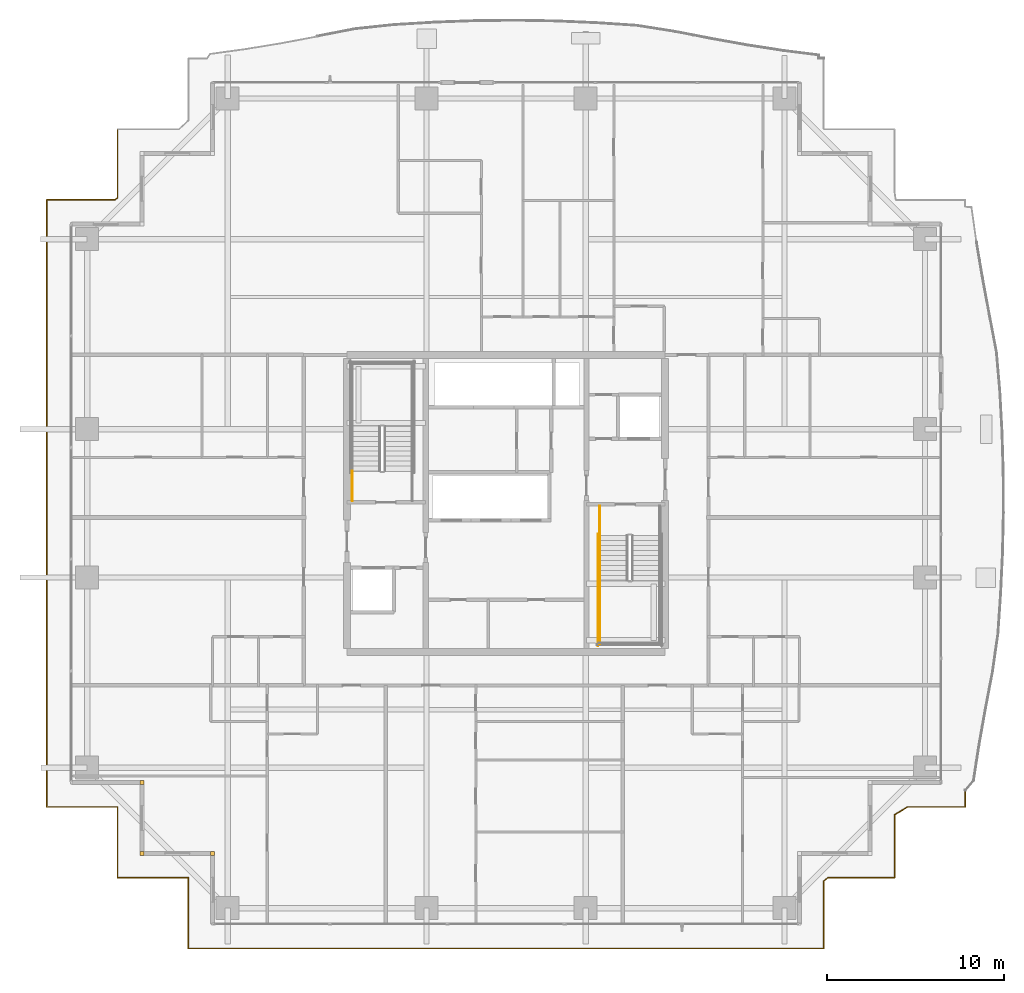
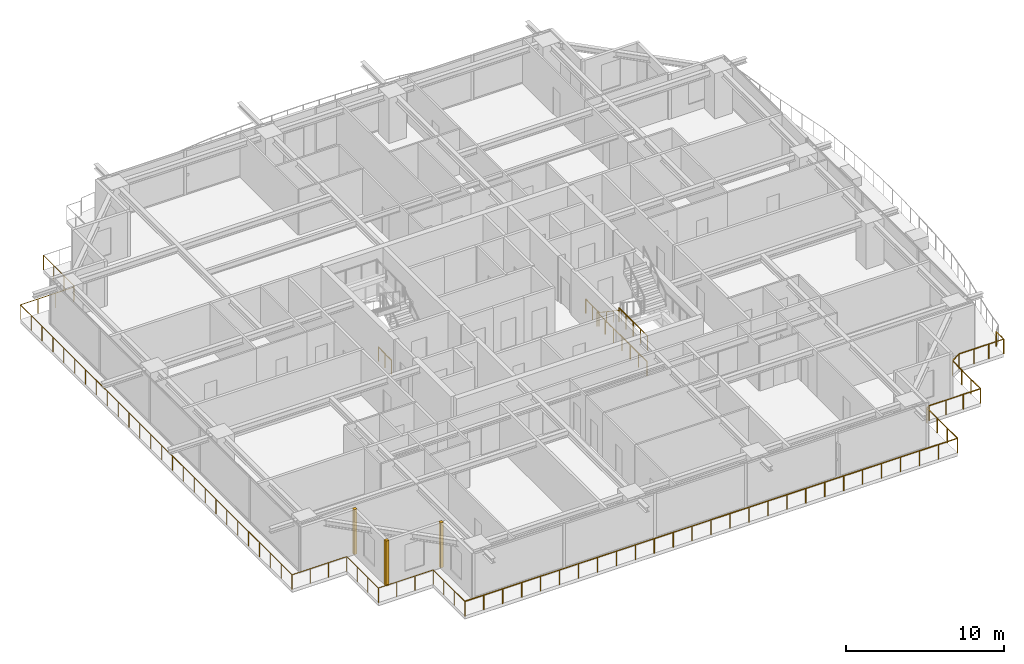
# One storey, part 30 of 34: 7 railings, 3 coverings.
"""IFC4 building model written with IfcOpenShell, lengths in metres."""

import ifcopenshell
import ifcopenshell.guid

model = None  # the IFC model being written
_history = None  # IfcOwnerHistory: only IFC2X3 demands one
_inside = {}  # id of a spatial element -> (the spatial element, [elements in it])
_under = {}  # id of a project, library or spatial element -> (it, [spatial elements below it])
_declared = {}  # id of a project -> (the project, [libraries it declares])
_typed = {}  # id of a type object -> (the type object, [elements of that type])
_made_of = {}  # id of a material, layer set ... -> (it, [elements and type objects made of it])


def new_model(schema):
    """Start an empty IFC model of exactly this schema.

    Asked for "IFC4X3", IfcOpenShell would pick the latest addendum, in which some entities
    have other attributes; the version numbers below select the first issue.
    IFC2X3 requires an IfcOwnerHistory on every rooted entity: one is made here for all.
    """
    global model, _history
    if schema == "IFC4X3":
        model = ifcopenshell.file(schema_version=(4, 3, 0, 0))
    else:
        model = ifcopenshell.file(schema=schema)
    _inside.clear()
    _under.clear()
    _declared.clear()
    _typed.clear()
    _made_of.clear()
    _history = None
    if model.schema == "IFC2X3":
        org = make("IfcOrganization", Name="unknown")
        user = make(
            "IfcPersonAndOrganization",
            ThePerson=make("IfcPerson", FamilyName="unknown"),
            TheOrganization=org,
        )
        app = make(
            "IfcApplication",
            ApplicationDeveloper=org,
            Version="unknown",
            ApplicationFullName="unknown",
            ApplicationIdentifier="unknown",
        )
        _history = make(
            "IfcOwnerHistory",
            OwningUser=user,
            OwningApplication=app,
            ChangeAction="ADDED",
            CreationDate=0,
        )
    return model


def make(cls, **values):
    """One entity of the class cls with the attributes given. An attribute that is None is left unset."""
    return model.create_entity(
        cls, **{name: value for name, value in values.items() if value is not None}
    )


def rooted(cls, **values):
    """An entity with a GlobalId (a new one), such as an element, a storey or a relation."""
    return make(cls, GlobalId=ifcopenshell.guid.new(), OwnerHistory=_history, **values)


def si_unit(unit_type, name, prefix=None):
    """IfcSIUnit, for example si_unit("LENGTHUNIT", "METRE", prefix="MILLI")."""
    return make("IfcSIUnit", UnitType=unit_type, Prefix=prefix, Name=name)


def assignment(units):
    """IfcUnitAssignment: the units of a project."""
    return None if units is None else make("IfcUnitAssignment", Units=units)


def point(xyz):
    """IfcCartesianPoint."""
    return None if xyz is None else make("IfcCartesianPoint", Coordinates=xyz)


def direction(xyz):
    """IfcDirection."""
    return None if xyz is None else make("IfcDirection", DirectionRatios=xyz)


def frame(location, z_axis=None, x_axis=None):
    """IfcAxis2Placement3D, a coordinate frame: its origin and axes. An axis left out is left unset."""
    return make(
        "IfcAxis2Placement3D",
        Location=point(location),
        Axis=direction(z_axis),
        RefDirection=direction(x_axis),
    )


def frame_2d(location, x_axis=None):
    """IfcAxis2Placement2D, a coordinate frame in the plane: its origin and x axis."""
    return make(
        "IfcAxis2Placement2D", Location=point(location), RefDirection=direction(x_axis)
    )


def origin():
    """The frame at (0, 0, 0) with its axes left unset."""
    return frame((0.0, 0.0, 0.0))


def origin_2d():
    """The frame at (0, 0) in the plane with its x axis left unset."""
    return frame_2d((0.0, 0.0))


def place(relative_to, where):
    """IfcLocalPlacement: puts the frame where relative to a parent placement (None: the world)."""
    return make(
        "IfcLocalPlacement", PlacementRelTo=relative_to, RelativePlacement=where
    )


def context(
    kind, dimensions, precision=None, world=None, true_north=None, identifier=None
):
    """IfcGeometricRepresentationContext, for example the 3D "Model" context."""
    return make(
        "IfcGeometricRepresentationContext",
        ContextIdentifier=identifier,
        ContextType=kind,
        CoordinateSpaceDimension=dimensions,
        Precision=precision,
        WorldCoordinateSystem=world,
        TrueNorth=true_north,
    )


def subcontext(parent, identifier, kind, view, scale=None):
    """IfcGeometricRepresentationSubContext, for example "Body" below "Model"."""
    return make(
        "IfcGeometricRepresentationSubContext",
        ContextIdentifier=identifier,
        ContextType=kind,
        ParentContext=parent,
        TargetScale=scale,
        TargetView=view,
    )


def project(units=None, contexts=None):
    """IfcProject with its units and contexts."""
    return rooted(
        "IfcProject",
        Name="project",
        RepresentationContexts=contexts,
        UnitsInContext=assignment(units),
    )


def spatial(cls, under=None, at=None, **own):
    """A site, building, storey or space (cls), placed at a placement, below another one or the project."""
    s = rooted(cls, ObjectPlacement=at, **own)
    if under is not None:
        _under.setdefault(under.id(), (under, []))[1].append(s)
    return s


def profile(cls, at=None, kind="AREA", **sizes):
    """A parametric profile (cls). Its sizes go by their IFC names, for example OverallWidth=200.0."""
    return make(cls, ProfileType=kind, Position=at, **sizes)


def rectangle(**sizes):
    """IfcRectangleProfileDef."""
    return profile("IfcRectangleProfileDef", **sizes)


def circle(**sizes):
    """IfcCircleProfileDef."""
    return profile("IfcCircleProfileDef", **sizes)


def extrude(swept, where, along, depth):
    """IfcExtrudedAreaSolid: the profile swept, set in the frame where, extruded along a direction by depth."""
    return make(
        "IfcExtrudedAreaSolid",
        SweptArea=swept,
        Position=where,
        ExtrudedDirection=direction(along),
        Depth=depth,
    )


def shape(context_of_items, identifier, shape_type, items):
    """IfcShapeRepresentation: the items that make up one representation, for example the "Body"."""
    return make(
        "IfcShapeRepresentation",
        ContextOfItems=context_of_items,
        RepresentationIdentifier=identifier,
        RepresentationType=shape_type,
        Items=items,
    )


def source(mapping_origin, context_of_items, identifier, shape_type, items):
    """IfcRepresentationMap: a shape defined once, which mapped items show again and again."""
    return make(
        "IfcRepresentationMap",
        MappingOrigin=mapping_origin,
        MappedRepresentation=shape(context_of_items, identifier, shape_type, items),
    )


def transform(
    local_origin,
    x_axis=None,
    y_axis=None,
    z_axis=None,
    scale=None,
    scale2=None,
    scale3=None,
    uniform=True,
):
    """IfcCartesianTransformationOperator3D, or its non-uniform kind. x_axis, y_axis, z_axis: its Axis1, 2, 3."""
    if uniform:
        return make(
            "IfcCartesianTransformationOperator3D",
            Axis1=direction(x_axis),
            Axis2=direction(y_axis),
            LocalOrigin=point(local_origin),
            Scale=scale,
            Axis3=direction(z_axis),
        )
    return make(
        "IfcCartesianTransformationOperator3DnonUniform",
        Axis1=direction(x_axis),
        Axis2=direction(y_axis),
        LocalOrigin=point(local_origin),
        Scale=scale,
        Axis3=direction(z_axis),
        Scale2=scale2,
        Scale3=scale3,
    )


def mapped(mapping_source, mapping_target):
    """IfcMappedItem: shows the shape of a source again, moved by a transform."""
    return make(
        "IfcMappedItem", MappingSource=mapping_source, MappingTarget=mapping_target
    )


def material(Name=None, Category=None):
    """IfcMaterial."""
    return make("IfcMaterial", Name=Name, Category=Category)


def layer(
    of_material, thickness, ventilated=None, Name=None, Category=None, Priority=None
):
    """IfcMaterialLayer: one layer of a wall or slab, of a material (None: an air gap)."""
    return make(
        "IfcMaterialLayer",
        Material=of_material,
        LayerThickness=thickness,
        IsVentilated=ventilated,
        Name=Name,
        Category=Category,
        Priority=Priority,
    )


def layer_set(layers, Name=None):
    """IfcMaterialLayerSet."""
    return make("IfcMaterialLayerSet", MaterialLayers=layers, LayerSetName=Name)


def made_of(thing, what):
    """Note that an element or type object is made of a material, layer set ...; save() writes the relation."""
    if what is not None:
        _made_of.setdefault(what.id(), (what, []))[1].append(thing)
    return thing


def type_object(cls, material=None, **own):
    """A type object (cls), such as IfcWallType, which elements share."""
    return made_of(rooted(cls, **own), material)


def element(
    cls,
    number,
    at=None,
    inside=None,
    cuts=None,
    type_object=None,
    material=None,
    context=None,
    identifier="Body",
    shape_type=None,
    held_by="IfcProductDefinitionShape",
    body=None,
    shapes=None,
    **own,
):
    """One element of the class cls, such as IfcWall. Its Tag is "e" and its number.

    at: its placement. inside: the storey or other place that contains it. cuts: it is an
    opening in that element (IfcRelVoidsElement). A single representation is given by context,
    identifier, shape_type and body (its items); several are given by shapes. held_by: the class
    of the entity that holds the representations. save() writes the other relations.
    """
    e = rooted(cls, Tag="e%d" % number, ObjectPlacement=at, **own)
    if body is not None:
        shapes = [shape(context, identifier, shape_type, body)]
    if shapes is not None:
        e.Representation = make(held_by, Representations=shapes)
    if inside is not None:
        _inside.setdefault(inside.id(), (inside, []))[1].append(e)
    if cuts is not None:
        rooted(
            "IfcRelVoidsElement", RelatingBuildingElement=cuts, RelatedOpeningElement=e
        )
    if type_object is not None:
        _typed.setdefault(type_object.id(), (type_object, []))[1].append(e)
    return made_of(e, material)


def aggregate(whole, parts):
    """IfcRelAggregates: a whole, such as a stair, and the parts it consists of."""
    return rooted("IfcRelAggregates", RelatingObject=whole, RelatedObjects=parts)


def save(model, path):
    """Write the relations noted so far, then the file.

    IfcRelAggregates (storeys below a building ...), IfcRelContainedInSpatialStructure (elements
    in a storey), IfcRelDefinesByType, IfcRelAssociatesMaterial and IfcRelDeclares: one each for
    every whole, place, type object, material and project.
    """
    for whole, parts in _under.values():
        aggregate(whole, parts)
    for where, things in _inside.values():
        rooted(
            "IfcRelContainedInSpatialStructure",
            RelatedElements=things,
            RelatingStructure=where,
        )
    for kind, things in _typed.values():
        rooted("IfcRelDefinesByType", RelatedObjects=things, RelatingType=kind)
    for what, things in _made_of.values():
        rooted("IfcRelAssociatesMaterial", RelatedObjects=things, RelatingMaterial=what)
    for by, libraries in _declared.values():
        rooted("IfcRelDeclares", RelatingContext=by, RelatedDefinitions=libraries)
    model.write(path)


model = new_model("IFC4")

# Units and contexts
model_context = context("Model", 3, precision=1e-05, world=origin(), true_north=direction((0.0, 1.0)))
body_context = subcontext(model_context, "Body", "Model", "MODEL_VIEW")
ifc_project = project(units=[si_unit("LENGTHUNIT", "METRE"), si_unit("AREAUNIT", "SQUARE_METRE"), si_unit("VOLUMEUNIT", "CUBIC_METRE"), si_unit("PLANEANGLEUNIT", "RADIAN"), si_unit("MASSUNIT", "GRAM", prefix="KILO")], contexts=[model_context])

# Site, building, storey
site_placement = place(None, origin())
site = spatial("IfcSite", under=ifc_project, at=site_placement, CompositionType="ELEMENT")
building_placement = place(site_placement, origin())
building = spatial("IfcBuilding", under=site, at=building_placement, Name="Serunith Strait Residences", CompositionType="ELEMENT")
storey_placement = place(building_placement, frame((0.0, 0.0, 180.14990234375)))
storey = spatial("IfcBuildingStorey", under=building, at=storey_placement, Name="L45", CompositionType="ELEMENT", Elevation=180.14990234375)

# Railings
ifc_material_1 = material(Name="Stainless Steel & Laminated Glass Balustrade", Category="steel")
railing_type_1 = type_object("IfcRailingType", Name="RLG-BALC-1150", PredefinedType="BALUSTRADE", material=ifc_material_1)
railing_1_placement = place(storey_placement, frame((58.3798828125, 8.9677734375, -0.0498046875)))
element("IfcRailing", 1, at=railing_1_placement, inside=storey, type_object=railing_type_1, Name="L45 Swirling Balcony Perimeter Balustrade 7", PredefinedType="BALUSTRADE", context=body_context, shape_type="SweptSolid", body=[
    extrude(circle(Radius=0.02392578125, at=origin_2d()), frame((0.0, -0.001953125, 1.1259765625), z_axis=(0.0, -1.0, 0.0), x_axis=(1.0, 0.0, 0.0)), (0.0, 0.0, 1.0), 0.94384765625),
    extrude(circle(Radius=0.02392578125, at=origin_2d()), frame((-0.001953125, -0.94775390625, 1.1259765625), z_axis=(-1.0, 0.0, 0.0), x_axis=(0.0, -1.0, 0.0)), (0.0, 0.0, 1.0), 3.257080078125),
    extrude(circle(Radius=0.02392578125, at=origin_2d()), frame((-3.2626953125, -0.94873046875, 1.1259765625), z_axis=(-0.858267509474, -0.513202574215, 0.0), x_axis=(0.513202574215, -0.858267509474, 0.0)), (0.0, 0.0, 1.0), 0.85693359375),
    extrude(circle(Radius=0.02392578125, at=origin_2d()), frame((-4.0, -1.3916015625, 1.1259765625), z_axis=(0.0, -1.0, 0.0), x_axis=(1.0, 0.0, 0.0)), (0.0, 0.0, 1.0), 3.55419921875),
    extrude(circle(Radius=0.02392578125, at=origin_2d()), frame((-4.001953125, -4.94775390625, 1.1259765625), z_axis=(-1.0, 0.0, 0.0), x_axis=(0.0, -1.0, 0.0)), (0.0, 0.0, 1.0), 3.774169921875),
    extrude(circle(Radius=0.02392578125, at=origin_2d()), frame((-7.779541015625, -4.948974609375, 1.1259765625), z_axis=(-0.778021630841, -0.62823748849, 0.0), x_axis=(0.62823748849, -0.778021630841, 0.0)), (0.0, 0.0, 1.0), 0.28125),
    extrude(circle(Radius=0.02392578125, at=origin_2d()), frame((-8.0, -5.12890625, 1.1259765625), z_axis=(0.0, -1.0, 0.0), x_axis=(1.0, 0.0, 0.0)), (0.0, 0.0, 1.0), 3.81689453125),
    extrude(circle(Radius=0.02392578125, at=origin_2d()), frame((-8.001953125, -8.94775390625, 1.1259765625), z_axis=(-1.0, 0.0, 0.0), x_axis=(0.0, -1.0, 0.0)), (0.0, 0.0, 1.0), 35.9560546875),
    extrude(circle(Radius=0.02099609375, at=origin_2d()), origin(), (0.0, 0.0, 1.0), 1.099853515625),
    extrude(circle(Radius=0.02099609375, at=origin_2d()), frame((0.0, -0.94775390625, 0.0)), (0.0, 0.0, 1.0), 1.099853515625),
    extrude(circle(Radius=0.02099609375, at=origin_2d()), frame((-1.0869140625, -0.94775390625, 0.0)), (0.0, 0.0, 1.0), 1.099853515625),
    extrude(circle(Radius=0.02099609375, at=origin_2d()), frame((-2.174072265625, -0.94775390625, 0.0)), (0.0, 0.0, 1.0), 1.099853515625),
    extrude(circle(Radius=0.02099609375, at=origin_2d()), frame((-3.260986328125, -0.94775390625, 0.0)), (0.0, 0.0, 1.0), 1.099853515625),
    extrude(circle(Radius=0.02099609375, at=origin_2d()), frame((-4.0, -1.3896484375, 0.0)), (0.0, 0.0, 1.0), 1.099853515625),
    extrude(circle(Radius=0.02099609375, at=origin_2d()), frame((-4.0, -2.57568359375, 0.0)), (0.0, 0.0, 1.0), 1.099853515625),
    extrude(circle(Radius=0.02099609375, at=origin_2d()), frame((-4.0, -3.76171875, 0.0)), (0.0, 0.0, 1.0), 1.099853515625),
    extrude(circle(Radius=0.02099609375, at=origin_2d()), frame((-4.0, -4.94775390625, 0.0)), (0.0, 0.0, 1.0), 1.099853515625),
    extrude(circle(Radius=0.02099609375, at=origin_2d()), frame((-5.25927734375, -4.94775390625, 0.0)), (0.0, 0.0, 1.0), 1.099853515625),
    extrude(circle(Radius=0.02099609375, at=origin_2d()), frame((-6.518798828125, -4.94775390625, 0.0)), (0.0, 0.0, 1.0), 1.099853515625),
    extrude(circle(Radius=0.02099609375, at=origin_2d()), frame((-7.778076171875, -4.94775390625, 0.0)), (0.0, 0.0, 1.0), 1.099853515625),
    extrude(circle(Radius=0.02099609375, at=origin_2d()), frame((-8.0, -5.126953125, 0.0)), (0.0, 0.0, 1.0), 1.099853515625),
    extrude(circle(Radius=0.02099609375, at=origin_2d()), frame((-8.0, -6.400634765625, 0.0)), (0.0, 0.0, 1.0), 1.099853515625),
    extrude(circle(Radius=0.02099609375, at=origin_2d()), frame((-8.0, -7.674072265625, 0.0)), (0.0, 0.0, 1.0), 1.099853515625),
    extrude(circle(Radius=0.02099609375, at=origin_2d()), frame((-8.0, -8.94775390625, 0.0)), (0.0, 0.0, 1.0), 1.099853515625),
    extrude(circle(Radius=0.02099609375, at=origin_2d()), frame((-9.383056640625, -8.94775390625, 0.0)), (0.0, 0.0, 1.0), 1.099853515625),
    extrude(circle(Radius=0.02099609375, at=origin_2d()), frame((-10.76611328125, -8.94775390625, 0.0)), (0.0, 0.0, 1.0), 1.099853515625),
    extrude(circle(Radius=0.02099609375, at=origin_2d()), frame((-12.149169921875, -8.94775390625, 0.0)), (0.0, 0.0, 1.0), 1.099853515625),
    extrude(circle(Radius=0.02099609375, at=origin_2d()), frame((-13.5322265625, -8.94775390625, 0.0)), (0.0, 0.0, 1.0), 1.099853515625),
    extrude(circle(Radius=0.02099609375, at=origin_2d()), frame((-14.915283203125, -8.94775390625, 0.0)), (0.0, 0.0, 1.0), 1.099853515625),
    extrude(circle(Radius=0.02099609375, at=origin_2d()), frame((-16.29833984375, -8.94775390625, 0.0)), (0.0, 0.0, 1.0), 1.099853515625),
    extrude(circle(Radius=0.02099609375, at=origin_2d()), frame((-17.681640625, -8.94775390625, 0.0)), (0.0, 0.0, 1.0), 1.099853515625),
    extrude(circle(Radius=0.02099609375, at=origin_2d()), frame((-19.064697265625, -8.94775390625, 0.0)), (0.0, 0.0, 1.0), 1.099853515625),
    extrude(circle(Radius=0.02099609375, at=origin_2d()), frame((-20.44775390625, -8.94775390625, 0.0)), (0.0, 0.0, 1.0), 1.099853515625),
    extrude(circle(Radius=0.02099609375, at=origin_2d()), frame((-21.830810546875, -8.94775390625, 0.0)), (0.0, 0.0, 1.0), 1.099853515625),
    extrude(circle(Radius=0.02099609375, at=origin_2d()), frame((-23.2138671875, -8.94775390625, 0.0)), (0.0, 0.0, 1.0), 1.099853515625),
    extrude(circle(Radius=0.02099609375, at=origin_2d()), frame((-24.596923828125, -8.94775390625, 0.0)), (0.0, 0.0, 1.0), 1.099853515625),
    extrude(circle(Radius=0.02099609375, at=origin_2d()), frame((-25.97998046875, -8.94775390625, 0.0)), (0.0, 0.0, 1.0), 1.099853515625),
    extrude(circle(Radius=0.02099609375, at=origin_2d()), frame((-27.363037109375, -8.94775390625, 0.0)), (0.0, 0.0, 1.0), 1.099853515625),
    extrude(circle(Radius=0.02099609375, at=origin_2d()), frame((-28.74609375, -8.94775390625, 0.0)), (0.0, 0.0, 1.0), 1.099853515625),
    extrude(circle(Radius=0.02099609375, at=origin_2d()), frame((-30.129150390625, -8.94775390625, 0.0)), (0.0, 0.0, 1.0), 1.099853515625),
    extrude(circle(Radius=0.02099609375, at=origin_2d()), frame((-31.51220703125, -8.94775390625, 0.0)), (0.0, 0.0, 1.0), 1.099853515625),
    extrude(circle(Radius=0.02099609375, at=origin_2d()), frame((-32.895263671875, -8.94775390625, 0.0)), (0.0, 0.0, 1.0), 1.099853515625),
    extrude(circle(Radius=0.02099609375, at=origin_2d()), frame((-34.2783203125, -8.94775390625, 0.0)), (0.0, 0.0, 1.0), 1.099853515625),
    extrude(circle(Radius=0.02099609375, at=origin_2d()), frame((-35.66162109375, -8.94775390625, 0.0)), (0.0, 0.0, 1.0), 1.099853515625),
    extrude(circle(Radius=0.02099609375, at=origin_2d()), frame((-37.044677734375, -8.94775390625, 0.0)), (0.0, 0.0, 1.0), 1.099853515625),
    extrude(circle(Radius=0.02099609375, at=origin_2d()), frame((-38.427734375, -8.94775390625, 0.0)), (0.0, 0.0, 1.0), 1.099853515625),
    extrude(circle(Radius=0.02099609375, at=origin_2d()), frame((-39.810791015625, -8.94775390625, 0.0)), (0.0, 0.0, 1.0), 1.099853515625),
    extrude(circle(Radius=0.02099609375, at=origin_2d()), frame((-41.19384765625, -8.94775390625, 0.0)), (0.0, 0.0, 1.0), 1.099853515625),
    extrude(circle(Radius=0.02099609375, at=origin_2d()), frame((-42.576904296875, -8.94775390625, 0.0)), (0.0, 0.0, 1.0), 1.099853515625),
    extrude(circle(Radius=0.02099609375, at=origin_2d()), frame((-43.9599609375, -8.94775390625, 0.0)), (0.0, 0.0, 1.0), 1.099853515625),
])
railing_2_placement = place(storey_placement, frame((14.419921875, 0.02001953125, -0.0498046875)))
element("IfcRailing", 2, at=railing_2_placement, inside=storey, type_object=railing_type_1, Name="L45 Swirling Balcony Perimeter Balustrade 8", PredefinedType="BALUSTRADE", context=body_context, shape_type="SweptSolid", body=[
    extrude(circle(Radius=0.02392578125, at=origin_2d()), frame((0.0, 0.001953125, 1.1259765625), z_axis=(0.0, 1.0, 0.0), x_axis=(-1.0, 0.0, 0.0)), (0.0, 0.0, 1.0), 3.99609375),
    extrude(circle(Radius=0.02392578125, at=origin_2d()), frame((-0.001953125, 4.0, 1.1259765625), z_axis=(-1.0, 0.0, 0.0), x_axis=(0.0, -1.0, 0.0)), (0.0, 0.0, 1.0), 3.99609375),
    extrude(circle(Radius=0.02392578125, at=origin_2d()), frame((-4.0, 4.001953125, 1.1259765625), z_axis=(0.0, 1.0, 0.0), x_axis=(-1.0, 0.0, 0.0)), (0.0, 0.0, 1.0), 3.99609375),
    extrude(circle(Radius=0.02392578125, at=origin_2d()), frame((-4.001953125, 8.0, 1.1259765625), z_axis=(-1.0, 0.0, 0.0), x_axis=(0.0, -1.0, 0.0)), (0.0, 0.0, 1.0), 3.99609375),
    extrude(circle(Radius=0.02392578125, at=origin_2d()), frame((-8.0, 8.001953125, 1.1259765625), z_axis=(0.0, 1.0, 0.0), x_axis=(-1.0, 0.0, 0.0)), (0.0, 0.0, 1.0), 34.35595703125),
    extrude(circle(Radius=0.02392578125, at=origin_2d()), frame((-7.998046875, 42.35986328125, 1.1259765625), z_axis=(1.0, 0.0, 0.0), x_axis=(0.0, 1.0, 0.0)), (0.0, 0.0, 1.0), 3.861083984375),
    extrude(circle(Radius=0.02392578125, at=origin_2d()), frame((-4.13330078125, 42.361083984375, 1.1259765625), z_axis=(0.808862567734, 0.587997743633, 0.0), x_axis=(-0.587997743633, 0.808862567734, 0.0)), (0.0, 0.0, 1.0), 0.162841796875),
    extrude(circle(Radius=0.02392578125, at=origin_2d()), frame((-4.0, 42.4599609375, 1.1259765625), z_axis=(0.0, 1.0, 0.0), x_axis=(-1.0, 0.0, 0.0)), (0.0, 0.0, 1.0), 3.89794921875),
    extrude(circle(Radius=0.02099609375, at=origin_2d()), origin(), (0.0, 0.0, 1.0), 1.099853515625),
    extrude(circle(Radius=0.02099609375, at=origin_2d()), frame((0.0, 1.333251953125, 0.0)), (0.0, 0.0, 1.0), 1.099853515625),
    extrude(circle(Radius=0.02099609375, at=origin_2d()), frame((0.0, 2.666748046875, 0.0)), (0.0, 0.0, 1.0), 1.099853515625),
    extrude(circle(Radius=0.02099609375, at=origin_2d()), frame((0.0, 4.0, 0.0)), (0.0, 0.0, 1.0), 1.099853515625),
    extrude(circle(Radius=0.02099609375, at=origin_2d()), frame((-1.333251953125, 4.0, 0.0)), (0.0, 0.0, 1.0), 1.099853515625),
    extrude(circle(Radius=0.02099609375, at=origin_2d()), frame((-2.666748046875, 4.0, 0.0)), (0.0, 0.0, 1.0), 1.099853515625),
    extrude(circle(Radius=0.02099609375, at=origin_2d()), frame((-4.0, 4.0, 0.0)), (0.0, 0.0, 1.0), 1.099853515625),
    extrude(circle(Radius=0.02099609375, at=origin_2d()), frame((-4.0, 5.333251953125, 0.0)), (0.0, 0.0, 1.0), 1.099853515625),
    extrude(circle(Radius=0.02099609375, at=origin_2d()), frame((-4.0, 6.666748046875, 0.0)), (0.0, 0.0, 1.0), 1.099853515625),
    extrude(circle(Radius=0.02099609375, at=origin_2d()), frame((-4.0, 8.0, 0.0)), (0.0, 0.0, 1.0), 1.099853515625),
    extrude(circle(Radius=0.02099609375, at=origin_2d()), frame((-5.333251953125, 8.0, 0.0)), (0.0, 0.0, 1.0), 1.099853515625),
    extrude(circle(Radius=0.02099609375, at=origin_2d()), frame((-6.666748046875, 8.0, 0.0)), (0.0, 0.0, 1.0), 1.099853515625),
    extrude(circle(Radius=0.02099609375, at=origin_2d()), frame((-8.0, 8.0, 0.0)), (0.0, 0.0, 1.0), 1.099853515625),
    extrude(circle(Radius=0.02099609375, at=origin_2d()), frame((-8.0, 9.37451171875, 0.0)), (0.0, 0.0, 1.0), 1.099853515625),
    extrude(circle(Radius=0.02099609375, at=origin_2d()), frame((-8.0, 10.748779296875, 0.0)), (0.0, 0.0, 1.0), 1.099853515625),
    extrude(circle(Radius=0.02099609375, at=origin_2d()), frame((-8.0, 12.123291015625, 0.0)), (0.0, 0.0, 1.0), 1.099853515625),
    extrude(circle(Radius=0.02099609375, at=origin_2d()), frame((-8.0, 13.49755859375, 0.0)), (0.0, 0.0, 1.0), 1.099853515625),
    extrude(circle(Radius=0.02099609375, at=origin_2d()), frame((-8.0, 14.8720703125, 0.0)), (0.0, 0.0, 1.0), 1.099853515625),
    extrude(circle(Radius=0.02099609375, at=origin_2d()), frame((-8.0, 16.246337890625, 0.0)), (0.0, 0.0, 1.0), 1.099853515625),
    extrude(circle(Radius=0.02099609375, at=origin_2d()), frame((-8.0, 17.620849609375, 0.0)), (0.0, 0.0, 1.0), 1.099853515625),
    extrude(circle(Radius=0.02099609375, at=origin_2d()), frame((-8.0, 18.9951171875, 0.0)), (0.0, 0.0, 1.0), 1.099853515625),
    extrude(circle(Radius=0.02099609375, at=origin_2d()), frame((-8.0, 20.36962890625, 0.0)), (0.0, 0.0, 1.0), 1.099853515625),
    extrude(circle(Radius=0.02099609375, at=origin_2d()), frame((-8.0, 21.743896484375, 0.0)), (0.0, 0.0, 1.0), 1.099853515625),
    extrude(circle(Radius=0.02099609375, at=origin_2d()), frame((-8.0, 23.118408203125, 0.0)), (0.0, 0.0, 1.0), 1.099853515625),
    extrude(circle(Radius=0.02099609375, at=origin_2d()), frame((-8.0, 24.49267578125, 0.0)), (0.0, 0.0, 1.0), 1.099853515625),
    extrude(circle(Radius=0.02099609375, at=origin_2d()), frame((-8.0, 25.8671875, 0.0)), (0.0, 0.0, 1.0), 1.099853515625),
    extrude(circle(Radius=0.02099609375, at=origin_2d()), frame((-8.0, 27.241455078125, 0.0)), (0.0, 0.0, 1.0), 1.099853515625),
    extrude(circle(Radius=0.02099609375, at=origin_2d()), frame((-8.0, 28.615966796875, 0.0)), (0.0, 0.0, 1.0), 1.099853515625),
    extrude(circle(Radius=0.02099609375, at=origin_2d()), frame((-8.0, 29.990234375, 0.0)), (0.0, 0.0, 1.0), 1.099853515625),
    extrude(circle(Radius=0.02099609375, at=origin_2d()), frame((-8.0, 31.36474609375, 0.0)), (0.0, 0.0, 1.0), 1.099853515625),
    extrude(circle(Radius=0.02099609375, at=origin_2d()), frame((-8.0, 32.739013671875, 0.0)), (0.0, 0.0, 1.0), 1.099853515625),
    extrude(circle(Radius=0.02099609375, at=origin_2d()), frame((-8.0, 34.113525390625, 0.0)), (0.0, 0.0, 1.0), 1.099853515625),
    extrude(circle(Radius=0.02099609375, at=origin_2d()), frame((-8.0, 35.48779296875, 0.0)), (0.0, 0.0, 1.0), 1.099853515625),
    extrude(circle(Radius=0.02099609375, at=origin_2d()), frame((-8.0, 36.8623046875, 0.0)), (0.0, 0.0, 1.0), 1.099853515625),
    extrude(circle(Radius=0.02099609375, at=origin_2d()), frame((-8.0, 38.236572265625, 0.0)), (0.0, 0.0, 1.0), 1.099853515625),
    extrude(circle(Radius=0.02099609375, at=origin_2d()), frame((-8.0, 39.611083984375, 0.0)), (0.0, 0.0, 1.0), 1.099853515625),
    extrude(circle(Radius=0.02099609375, at=origin_2d()), frame((-8.0, 40.9853515625, 0.0)), (0.0, 0.0, 1.0), 1.099853515625),
    extrude(circle(Radius=0.02099609375, at=origin_2d()), frame((-8.0, 42.35986328125, 0.0)), (0.0, 0.0, 1.0), 1.099853515625),
    extrude(circle(Radius=0.02099609375, at=origin_2d()), frame((-6.711669921875, 42.35986328125, 0.0)), (0.0, 0.0, 1.0), 1.099853515625),
    extrude(circle(Radius=0.02099609375, at=origin_2d()), frame((-5.42333984375, 42.35986328125, 0.0)), (0.0, 0.0, 1.0), 1.099853515625),
    extrude(circle(Radius=0.02099609375, at=origin_2d()), frame((-4.135009765625, 42.35986328125, 0.0)), (0.0, 0.0, 1.0), 1.099853515625),
    extrude(circle(Radius=0.02099609375, at=origin_2d()), frame((-4.0, 42.4580078125, 0.0)), (0.0, 0.0, 1.0), 1.099853515625),
    extrude(circle(Radius=0.02099609375, at=origin_2d()), frame((-4.0, 43.758544921875, 0.0)), (0.0, 0.0, 1.0), 1.099853515625),
    extrude(circle(Radius=0.02099609375, at=origin_2d()), frame((-4.0, 45.059326171875, 0.0)), (0.0, 0.0, 1.0), 1.099853515625),
    extrude(circle(Radius=0.02099609375, at=origin_2d()), frame((-4.0, 46.35986328125, 0.0)), (0.0, 0.0, 1.0), 1.099853515625),
])
ifc_material_2 = material(Name="Brushed stainless steel 316L", Category="steel")
railing_type_2 = type_object("IfcRailingType", Name="RLG-STAIR-GUARD", PredefinedType="BALUSTRADE", material=ifc_material_2)
railing_3_placement = place(storey_placement, frame((23.699951171875, 25.35009765625, 0.0)))
element("IfcRailing", 3, at=railing_3_placement, inside=storey, type_object=railing_type_2, Name="L45 ST-1 stair guard 9", PredefinedType="BALUSTRADE", context=body_context, shape_type="SweptSolid", body=[
    extrude(circle(Radius=0.02392578125, at=origin_2d()), frame((0.0, 0.001953125, 1.076171875), z_axis=(0.0, 1.0, 0.0), x_axis=(-1.0, 0.0, 0.0)), (0.0, 0.0, 1.0), 1.676025390625),
    extrude(circle(Radius=0.02099609375, at=origin_2d()), origin(), (0.0, 0.0, 1.0), 1.050048828125),
    extrude(circle(Radius=0.02099609375, at=origin_2d()), frame((0.0, 0.83984375, 0.0)), (0.0, 0.0, 1.0), 1.050048828125),
    extrude(circle(Radius=0.02099609375, at=origin_2d()), frame((0.0, 1.679931640625, 0.0)), (0.0, 0.0, 1.0), 1.050048828125),
])
railing_4_placement = place(storey_placement, frame((37.699951171875, 20.85009765625, 1.875)))
element("IfcRailing", 4, at=railing_4_placement, inside=storey, type_object=railing_type_2, Name="L45 ST-2 stair guard 3", PredefinedType="BALUSTRADE", context=body_context, shape_type="SweptSolid", body=[
    extrude(circle(Radius=0.02392578125, at=origin_2d()), frame((0.0, -0.001953125, 1.076171875), z_axis=(0.0, -1.0, 0.0), x_axis=(1.0, 0.0, 0.0)), (0.0, 0.0, 1.0), 3.59619140625),
    extrude(circle(Radius=0.02099609375, at=origin_2d()), origin(), (0.0, 0.0, 1.0), 1.050048828125),
    extrude(circle(Radius=0.02099609375, at=origin_2d()), frame((0.0, -0.89990234375, 0.0)), (0.0, 0.0, 1.0), 1.050048828125),
    extrude(circle(Radius=0.02099609375, at=origin_2d()), frame((0.0, -1.800048828125, 0.0)), (0.0, 0.0, 1.0), 1.050048828125),
    extrude(circle(Radius=0.02099609375, at=origin_2d()), frame((0.0, -2.7001953125, 0.0)), (0.0, 0.0, 1.0), 1.050048828125),
    extrude(circle(Radius=0.02099609375, at=origin_2d()), frame((0.0, -3.60009765625, 0.0)), (0.0, 0.0, 1.0), 1.050048828125),
])
railing_5_placement = place(storey_placement, frame((37.699951171875, 25.050048828125, 0.0)))
element("IfcRailing", 5, at=railing_5_placement, inside=storey, type_object=railing_type_2, Name="L45 ST-2 stair guard 8", PredefinedType="BALUSTRADE", context=body_context, shape_type="SweptSolid", body=[
    extrude(circle(Radius=0.02392578125, at=origin_2d()), frame((0.0, -0.001953125, 1.076171875), z_axis=(0.0, -1.0, 0.0), x_axis=(1.0, 0.0, 0.0)), (0.0, 0.0, 1.0), 1.676025390625),
    extrude(circle(Radius=0.02099609375, at=origin_2d()), origin(), (0.0, 0.0, 1.0), 1.050048828125),
    extrude(circle(Radius=0.02099609375, at=origin_2d()), frame((0.0, -0.83984375, 0.0)), (0.0, 0.0, 1.0), 1.050048828125),
    extrude(circle(Radius=0.02099609375, at=origin_2d()), frame((0.0, -1.679931640625, 0.0)), (0.0, 0.0, 1.0), 1.050048828125),
])
railing_6_placement = place(storey_placement, frame((37.60009765625, 23.469970703125, 0.0)))
element("IfcRailing", 6, at=railing_6_placement, inside=storey, type_object=railing_type_2, Name="L45 ST-2 stair guard 10", PredefinedType="BALUSTRADE", context=body_context, shape_type="SweptSolid", body=[
    extrude(circle(Radius=0.02392578125, at=origin_2d()), frame((0.0, -0.001953125, 1.076171875), z_axis=(0.0, -1.0, 0.0), x_axis=(1.0, 0.0, 0.0)), (0.0, 0.0, 1.0), 6.316162109375),
    extrude(circle(Radius=0.02099609375, at=origin_2d()), origin(), (0.0, 0.0, 1.0), 1.050048828125),
    extrude(circle(Radius=0.02099609375, at=origin_2d()), frame((0.0, -1.05322265625, 0.0)), (0.0, 0.0, 1.0), 1.050048828125),
    extrude(circle(Radius=0.02099609375, at=origin_2d()), frame((0.0, -2.106689453125, 0.0)), (0.0, 0.0, 1.0), 1.050048828125),
    extrude(circle(Radius=0.02099609375, at=origin_2d()), frame((0.0, -3.16015625, 0.0)), (0.0, 0.0, 1.0), 1.050048828125),
    extrude(circle(Radius=0.02099609375, at=origin_2d()), frame((0.0, -4.21337890625, 0.0)), (0.0, 0.0, 1.0), 1.050048828125),
    extrude(circle(Radius=0.02099609375, at=origin_2d()), frame((0.0, -5.2666015625, 0.0)), (0.0, 0.0, 1.0), 1.050048828125),
    extrude(circle(Radius=0.02099609375, at=origin_2d()), frame((0.0, -6.320068359375, 0.0)), (0.0, 0.0, 1.0), 1.050048828125),
])
railing_type_3 = type_object("IfcRailingType", Name="RLG-STAIR-HR", PredefinedType="HANDRAIL", material=ifc_material_2)
railing_7_placement = place(storey_placement, frame((37.699951171875, 23.3701171875, 0.1875)))
element("IfcRailing", 7, at=railing_7_placement, inside=storey, type_object=railing_type_3, Name="L45 ST-2 stair handrail 1", PredefinedType="HANDRAIL", context=body_context, shape_type="SweptSolid", body=[
    extrude(circle(Radius=0.02392578125, at=origin_2d()), frame((0.0, -0.001708984375, 0.876953125), z_axis=(0.0, -0.830208209119, 0.557453432594), x_axis=(1.0, 0.0, 0.0)), (0.0, 0.0, 1.0), 3.36865234375),
    extrude(circle(Radius=0.02099609375, at=origin_2d()), origin(), (0.0, 0.0, 1.0), 0.849853515625),
    extrude(circle(Radius=0.02099609375, at=origin_2d()), frame((0.0, -0.933349609375, 0.626708984375)), (0.0, 0.0, 1.0), 0.849853515625),
    extrude(circle(Radius=0.02099609375, at=origin_2d()), frame((0.0, -1.86669921875, 1.25341796875)), (0.0, 0.0, 1.0), 0.849853515625),
    extrude(circle(Radius=0.02099609375, at=origin_2d()), frame((0.0, -2.800048828125, 1.880126953125)), (0.0, 0.0, 1.0), 0.849853515625),
])

# Coverings
ifc_material_3 = material(Name="Pale-Champagne Anodised Aluminium", Category="aluminium")
ifc_layer = layer(ifc_material_3, 0.219970703125, Name="Pale-Champagne Anodised Aluminium")
ifc_layer_set = layer_set([ifc_layer], Name="Pale-Champagne Anodised Aluminium")
covering_type = type_object("IfcCoveringType", Name="COV-CORN-TRIM", PredefinedType="CLADDING", material=ifc_layer_set)
shared_shape = source(origin(), body_context, "Body", "SweptSolid", [
    extrude(rectangle(XDim=0.221923828125, YDim=0.221923828125, at=origin_2d()), origin(), (0.0, 0.0, 1.0), 3.47509765625),
])
for number, where, z_axis, x_axis, name in (
    (8, (11.800048828125, 9.39990234375, 0.0), (0.0, 0.0, 1.0), (1.0, 0.0, 0.0), "L45 Girih Serrated Corner Trim Post 17"),
    (9, (11.800048828125, 5.39990234375, 0.0), (0.0, 0.0, 1.0), (1.0, 0.0, 0.0), "L45 Girih Serrated Corner Trim Post 18"),
    (10, (15.800048828125, 5.39990234375, 0.0), (0.0, 0.0, 1.0), (1.0, 0.0, 0.0), "L45 Girih Serrated Corner Trim Post 19"),
):
    element("IfcCovering", number, at=place(storey_placement, frame(where, z_axis=z_axis, x_axis=x_axis)), inside=storey, type_object=covering_type, Name=name, PredefinedType="CLADDING", context=body_context, shape_type="MappedRepresentation", body=[
        mapped(shared_shape, transform((0.0, 0.0, 0.0), scale=1.0)),
    ])

save(model, "model.ifc")
